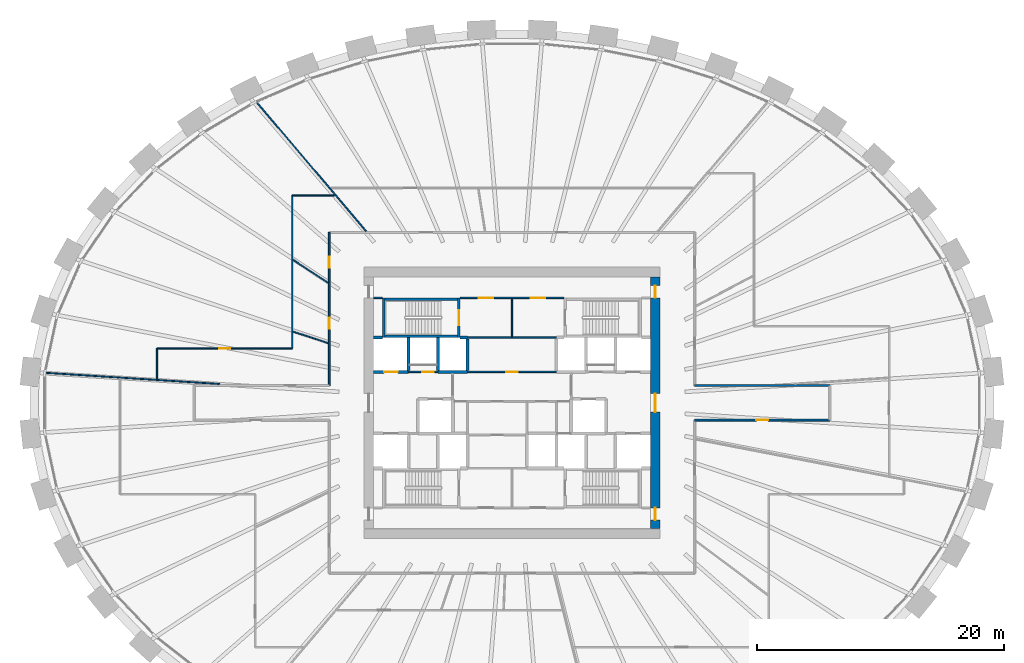
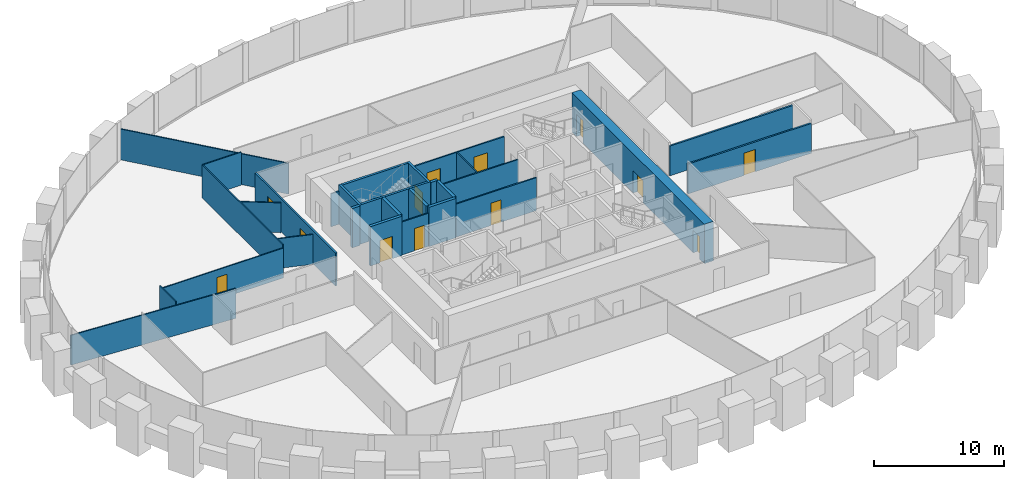
# One storey, part 8 of 11: 29 walls, 13 doors, 13 openings.
"""IFC4 building model written with IfcOpenShell, lengths in metres."""

from ifc_helpers import new_model, si_unit, direction, frame, frame_2d, origin, place, context, subcontext, project, spatial, rectangle, extrude, source, transform, mapped, material, layer, layer_set, type_object, element, fill, save


model = new_model("IFC4")

# Units and contexts
model_context = context("Model", 3, precision=1e-05, world=origin(), true_north=direction((0.0, 1.0)))
body_context = subcontext(model_context, "Body", "Model", "MODEL_VIEW")
ifc_project = project(units=[si_unit("LENGTHUNIT", "METRE"), si_unit("AREAUNIT", "SQUARE_METRE"), si_unit("VOLUMEUNIT", "CUBIC_METRE"), si_unit("PLANEANGLEUNIT", "RADIAN"), si_unit("MASSUNIT", "GRAM", prefix="KILO")], contexts=[model_context])

# Site, building, storey
site_placement = place(None, origin())
site = spatial("IfcSite", under=ifc_project, at=site_placement, CompositionType="ELEMENT")
building_placement = place(site_placement, origin())
building = spatial("IfcBuilding", under=site, at=building_placement, Name="Embergate Tower", CompositionType="ELEMENT")
storey_placement = place(building_placement, frame((0.0, 0.0, 132.0)))
storey = spatial("IfcBuildingStorey", under=building, at=storey_placement, Name="L28", CompositionType="ELEMENT", Elevation=132.0)

# Wall, openings, doors
ifc_material_1 = material(Name="Concrete C70", Category="concrete")
ifc_layer_1 = layer(ifc_material_1, 0.800048828125)
ifc_layer_set_1 = layer_set([ifc_layer_1], Name="Concrete C70")
wall_type_1 = type_object("IfcWallType", Name="Core outer wall C70 800", PredefinedType="SHEAR", material=ifc_layer_set_1)
shared_shape_1 = source(origin(), body_context, "Body", "SweptSolid", [
    extrude(rectangle(XDim=20.39990234375, YDim=0.800048828125, at=frame_2d((10.199951171875, 0.0))), origin(), (0.0, 0.0, 1.0), 3.699951171875),
])
wall_1_placement = place(storey_placement, frame((11.60009765625, -10.199951171875, 0.0), z_axis=(0.0, 0.0, 1.0), x_axis=(0.0, 1.0, 0.0)))
wall_1 = element("IfcWall", 1, at=wall_1_placement, inside=storey, type_object=wall_type_1, Name="CW-L28-E", PredefinedType="SHEAR", context=body_context, shape_type="MappedRepresentation", body=[
    mapped(shared_shape_1, transform((0.0, 0.0, 0.0))),
])
shared_shape_2 = source(origin(), body_context, "Body", "SweptSolid", [
    extrude(rectangle(XDim=1.0, YDim=2.10009765625, at=frame_2d((0.5, 1.050048828125))), frame((0.0, 0.409912109375, 0.0), z_axis=(0.0, -1.0, 0.0), x_axis=(1.0, 0.0, 0.0)), (0.0, 0.0, 1.0), 0.820068359375),
])
opening_1_placement = place(wall_1_placement, frame((18.699951171875, 0.0, 0.0)))
opening_1 = element("IfcOpeningElement", 2, at=opening_1_placement, cuts=wall_1, Name="Opening IF-1d", PredefinedType="OPENING", context=body_context, shape_type="MappedRepresentation", body=[
    mapped(shared_shape_2, transform((0.0, 0.0, 0.0))),
])
opening_2_placement = place(wall_1_placement, frame((0.699951171875, 0.0, 0.0)))
opening_2 = element("IfcOpeningElement", 3, at=opening_2_placement, cuts=wall_1, Name="Opening IF-1d", PredefinedType="OPENING", context=body_context, shape_type="MappedRepresentation", body=[
    mapped(shared_shape_2, transform((0.0, 0.0, 0.0))),
])
shared_shape_3 = source(origin(), body_context, "Body", "SweptSolid", [
    extrude(rectangle(XDim=1.5, YDim=2.10009765625, at=frame_2d((0.75, 1.050048828125))), frame((0.0, 0.409912109375, 0.0), z_axis=(0.0, -1.0, 0.0), x_axis=(1.0, 0.0, 0.0)), (0.0, 0.0, 1.0), 0.820068359375),
])
opening_3_placement = place(wall_1_placement, frame((9.449951171875, 0.0, 0.0)))
opening_3 = element("IfcOpeningElement", 4, at=opening_3_placement, cuts=wall_1, Name="Opening IF-3", PredefinedType="OPENING", context=body_context, shape_type="MappedRepresentation", body=[
    mapped(shared_shape_3, transform((0.0, 0.0, 0.0))),
])
ifc_material_2 = material(Name="Lobby fire door pair 1500")
door_type_1 = type_object("IfcDoorType", Name="Lobby fire door pair 1500", OperationType="DOUBLE_DOOR_SINGLE_SWING", PredefinedType="DOOR", material=ifc_material_2)
shared_shape_4 = source(origin(), body_context, "Body", "SweptSolid", [
    extrude(rectangle(XDim=1.5, YDim=2.10009765625, at=frame_2d((0.75, 1.050048828125))), frame((0.0, 0.02490234375, 0.0), z_axis=(0.0, -1.0, 0.0), x_axis=(1.0, 0.0, 0.0)), (0.0, 0.0, 1.0), 0.050048828125),
])
door_1_placement = place(opening_3_placement, origin())
door_1 = element("IfcDoor", 5, at=door_1_placement, inside=storey, type_object=door_type_1, Name="IF-3 door", OperationType="DOUBLE_DOOR_SINGLE_SWING", OverallHeight=2.10009765625, OverallWidth=1.5, PredefinedType="DOOR", context=body_context, shape_type="MappedRepresentation", body=[
    mapped(shared_shape_4, transform((0.0, 0.0, 0.0))),
])
fill(opening_3, door_1)
ifc_material_3 = material(Name="Escape fire door 1000")
door_type_2 = type_object("IfcDoorType", Name="Escape fire door 1000", OperationType="SINGLE_SWING_LEFT", PredefinedType="DOOR", material=ifc_material_3)
shared_shape_5 = source(origin(), body_context, "Body", "SweptSolid", [
    extrude(rectangle(XDim=1.0, YDim=2.10009765625, at=frame_2d((0.5, 1.050048828125))), frame((0.0, 0.02490234375, 0.0), z_axis=(0.0, -1.0, 0.0), x_axis=(1.0, 0.0, 0.0)), (0.0, 0.0, 1.0), 0.050048828125),
])
door_2_placement = place(opening_1_placement, origin())
door_2 = element("IfcDoor", 6, at=door_2_placement, inside=storey, type_object=door_type_2, Name="IF-1 door", OperationType="SINGLE_SWING_RIGHT", OverallHeight=2.10009765625, OverallWidth=1.0, PredefinedType="DOOR", context=body_context, shape_type="MappedRepresentation", body=[
    mapped(shared_shape_5, transform((0.0, 0.0, 0.0))),
])
fill(opening_1, door_2)
door_3_placement = place(opening_2_placement, origin())
door_3 = element("IfcDoor", 7, at=door_3_placement, inside=storey, type_object=door_type_2, Name="IF-1 door", OperationType="SINGLE_SWING_LEFT", OverallHeight=2.10009765625, OverallWidth=1.0, PredefinedType="DOOR", context=body_context, shape_type="MappedRepresentation", body=[
    mapped(shared_shape_5, transform((0.0, 0.0, 0.0))),
])
fill(opening_2, door_3)

# Walls
ifc_material_4 = material(Name="Concrete C50", Category="concrete")
ifc_layer_2 = layer(ifc_material_4, 0.25)
ifc_layer_set_2 = layer_set([ifc_layer_2], Name="Concrete C50")
wall_type_2 = type_object("IfcWallType", Name="Hoistway wall reinforced concrete 250", PredefinedType="SHEAR", material=ifc_layer_set_2)
shared_shape_6 = source(origin(), body_context, "Body", "SweptSolid", [
    extrude(rectangle(XDim=2.675048828125, YDim=0.25, at=frame_2d((1.33740234375, 0.0))), origin(), (0.0, 0.0, 1.0), 3.699951171875),
])
for number, where, z_axis, x_axis, name in (
    (8, (-8.39990234375, 2.625, 0.0), (0.0, 0.0, 1.0), (0.0, 1.0, 0.0), "HW-1 wall"),
    (9, (-6.0, 2.625, 0.0), (0.0, 0.0, 1.0), (0.0, 1.0, 0.0), "HW-1 wall"),
):
    element("IfcWall", number, at=place(storey_placement, frame(where, z_axis=z_axis, x_axis=x_axis)), inside=storey, type_object=wall_type_2, Name=name, PredefinedType="SHEAR", context=body_context, shape_type="MappedRepresentation", body=[
        mapped(shared_shape_6, transform((0.0, 0.0, 0.0))),
    ])
ifc_layer_3 = layer(ifc_material_4, 0.199951171875)
ifc_layer_set_3 = layer_set([ifc_layer_3], Name="Concrete C50")
wall_type_3 = type_object("IfcWallType", Name="Stair enclosure wall reinforced concrete 250", PredefinedType="SHEAR", material=ifc_layer_set_3)
shared_shape_7 = source(origin(), body_context, "Body", "SweptSolid", [
    extrude(rectangle(XDim=6.300048828125, YDim=0.199951171875, at=frame_2d((3.14990234375, 0.0))), origin(), (0.0, 0.0, 1.0), 3.699951171875),
])
for number, where, z_axis, x_axis, name in (
    (10, (-4.199951171875, 5.39990234375, 0.0), (0.0, 0.0, 1.0), (-1.0, 0.0, 0.0), "SE-1 wall"),
    (11, (-4.199951171875, 8.39990234375, 0.0), (0.0, 0.0, 1.0), (-1.0, 0.0, 0.0), "SE-1 wall"),
):
    element("IfcWall", number, at=place(storey_placement, frame(where, z_axis=z_axis, x_axis=x_axis)), inside=storey, type_object=wall_type_3, Name=name, PredefinedType="SHEAR", context=body_context, shape_type="MappedRepresentation", body=[
        mapped(shared_shape_7, transform((0.0, 0.0, 0.0))),
    ])
shared_shape_8 = source(origin(), body_context, "Body", "SweptSolid", [
    extrude(rectangle(XDim=2.550048828125, YDim=0.25, at=frame_2d((1.27490234375, 0.0))), origin(), (0.0, 0.0, 1.0), 3.699951171875),
])
wall_2_placement = place(storey_placement, frame((-3.60009765625, 2.625, 0.0), z_axis=(0.0, 0.0, 1.0), x_axis=(0.0, 1.0, 0.0)))
element("IfcWall", 12, at=wall_2_placement, inside=storey, type_object=wall_type_2, Name="HW-1 wall", PredefinedType="SHEAR", context=body_context, shape_type="MappedRepresentation", body=[
    mapped(shared_shape_8, transform((0.0, 0.0, 0.0))),
])

# Wall, opening, door
shared_shape_9 = source(origin(), body_context, "Body", "SweptSolid", [
    extrude(rectangle(XDim=3.199951171875, YDim=0.199951171875, at=frame_2d((1.60009765625, 0.0))), origin(), (0.0, 0.0, 1.0), 3.699951171875),
])
wall_3_placement = place(storey_placement, frame((-4.300048828125, 5.300048828125, 0.0), z_axis=(0.0, 0.0, 1.0), x_axis=(0.0, 1.0, 0.0)))
wall_3 = element("IfcWall", 13, at=wall_3_placement, inside=storey, type_object=wall_type_3, Name="SE-1 wall", PredefinedType="SHEAR", context=body_context, shape_type="MappedRepresentation", body=[
    mapped(shared_shape_9, transform((0.0, 0.0, 0.0))),
])
shared_shape_10 = source(origin(), body_context, "Body", "SweptSolid", [
    extrude(rectangle(XDim=1.199951171875, YDim=2.10009765625, at=frame_2d((0.60009765625, 1.050048828125))), frame((0.0, 0.10986328125, 0.0), z_axis=(0.0, -1.0, 0.0), x_axis=(1.0, 0.0, 0.0)), (0.0, 0.0, 1.0), 0.219970703125),
])
opening_4_placement = place(wall_3_placement, frame((1.0, 0.0, 0.0)))
opening_4 = element("IfcOpeningElement", 14, at=opening_4_placement, cuts=wall_3, Name="Opening IF-2", PredefinedType="OPENING", context=body_context, shape_type="MappedRepresentation", body=[
    mapped(shared_shape_10, transform((0.0, 0.0, 0.0))),
])
ifc_material_5 = material(Name="Stair enclosure door 1200")
door_type_3 = type_object("IfcDoorType", Name="Stair enclosure door 1200", OperationType="SINGLE_SWING_LEFT", PredefinedType="DOOR", material=ifc_material_5)
shared_shape_11 = source(origin(), body_context, "Body", "SweptSolid", [
    extrude(rectangle(XDim=1.199951171875, YDim=2.10009765625, at=frame_2d((0.60009765625, 1.050048828125))), frame((0.0, 0.02490234375, 0.0), z_axis=(0.0, -1.0, 0.0), x_axis=(1.0, 0.0, 0.0)), (0.0, 0.0, 1.0), 0.050048828125),
])
door_4_placement = place(opening_4_placement, origin())
door_4 = element("IfcDoor", 15, at=door_4_placement, inside=storey, type_object=door_type_3, Name="IF-2 door", OperationType="SINGLE_SWING_RIGHT", OverallHeight=2.10009765625, OverallWidth=1.199951171875, PredefinedType="DOOR", context=body_context, shape_type="MappedRepresentation", body=[
    mapped(shared_shape_11, transform((0.0, 0.0, 0.0))),
])
fill(opening_4, door_4)

# Wall
shared_shape_12 = source(origin(), body_context, "Body", "SweptSolid", [
    extrude(rectangle(XDim=2.39990234375, YDim=0.25, at=frame_2d((1.199951171875, 0.0))), origin(), (0.0, 0.0, 1.0), 3.699951171875),
])
wall_4_placement = place(storey_placement, frame((-6.0, 2.5, 0.0), z_axis=(0.0, 0.0, 1.0), x_axis=(1.0, 0.0, 0.0)))
element("IfcWall", 16, at=wall_4_placement, inside=storey, type_object=wall_type_2, Name="HW-1 wall", PredefinedType="SHEAR", context=body_context, shape_type="MappedRepresentation", body=[
    mapped(shared_shape_12, transform((0.0, 0.0, 0.0))),
])

# Wall, openings, doors
ifc_material_6 = material(Name="Core partition blockwork 120")
ifc_layer_4 = layer(ifc_material_6, 0.1201171875)
ifc_layer_set_4 = layer_set([ifc_layer_4], Name="Core partition blockwork 120")
wall_type_4 = type_object("IfcWallType", Name="Core partition blockwork 120", PredefinedType="PARTITIONING", material=ifc_layer_set_4)
shared_shape_13 = source(origin(), body_context, "Body", "SweptSolid", [
    extrude(rectangle(XDim=8.39990234375, YDim=0.1201171875, at=frame_2d((4.199951171875, 0.0))), origin(), (0.0, 0.0, 1.0), 3.10009765625),
])
wall_5_placement = place(storey_placement, frame((4.199951171875, 8.5, 0.0), z_axis=(0.0, 0.0, 1.0), x_axis=(-1.0, 0.0, 0.0)))
wall_5 = element("IfcWall", 17, at=wall_5_placement, inside=storey, type_object=wall_type_4, Name="IP-3 wall", PredefinedType="PARTITIONING", context=body_context, shape_type="MappedRepresentation", body=[
    mapped(shared_shape_13, transform((0.0, 0.0, 0.0))),
])
shared_shape_14 = source(origin(), body_context, "Body", "SweptSolid", [
    extrude(rectangle(XDim=1.199951171875, YDim=2.10009765625, at=frame_2d((0.60009765625, 1.050048828125))), frame((0.0, 0.070068359375, 0.0), z_axis=(0.0, -1.0, 0.0), x_axis=(1.0, 0.0, 0.0)), (0.0, 0.0, 1.0), 0.14013671875),
])
opening_5_placement = place(wall_5_placement, frame((5.699951171875, 0.0, 0.0)))
opening_5 = element("IfcOpeningElement", 18, at=opening_5_placement, cuts=wall_5, Name="Opening IF-3f", PredefinedType="OPENING", context=body_context, shape_type="MappedRepresentation", body=[
    mapped(shared_shape_14, transform((0.0, 0.0, 0.0))),
])
opening_6_placement = place(wall_5_placement, frame((1.5, 0.0, 0.0)))
opening_6 = element("IfcOpeningElement", 19, at=opening_6_placement, cuts=wall_5, Name="Opening IF-3f", PredefinedType="OPENING", context=body_context, shape_type="MappedRepresentation", body=[
    mapped(shared_shape_14, transform((0.0, 0.0, 0.0))),
])
ifc_material_7 = material(Name="Lobby fire door pair 1200")
door_type_4 = type_object("IfcDoorType", Name="Lobby fire door pair 1200", OperationType="DOUBLE_DOOR_SINGLE_SWING", PredefinedType="DOOR", material=ifc_material_7)
door_5_placement = place(opening_5_placement, origin())
door_5 = element("IfcDoor", 20, at=door_5_placement, inside=storey, type_object=door_type_4, Name="IF-3 door", OperationType="DOUBLE_DOOR_SINGLE_SWING", OverallHeight=2.10009765625, OverallWidth=1.199951171875, PredefinedType="DOOR", context=body_context, shape_type="MappedRepresentation", body=[
    mapped(shared_shape_11, transform((0.0, 0.0, 0.0))),
])
fill(opening_5, door_5)
door_6_placement = place(opening_6_placement, origin())
door_6 = element("IfcDoor", 21, at=door_6_placement, inside=storey, type_object=door_type_4, Name="IF-3 door", OperationType="DOUBLE_DOOR_SINGLE_SWING", OverallHeight=2.10009765625, OverallWidth=1.199951171875, PredefinedType="DOOR", context=body_context, shape_type="MappedRepresentation", body=[
    mapped(shared_shape_11, transform((0.0, 0.0, 0.0))),
])
fill(opening_6, door_6)

ifc_material_8 = material(Name="Corridor wall dry-lined 150 wet")
ifc_layer_5 = layer(ifc_material_8, 0.14990234375)
ifc_layer_set_5 = layer_set([ifc_layer_5], Name="Corridor wall dry-lined 150 wet")
wall_type_5 = type_object("IfcWallType", Name="Corridor wall dry-lined 150 wet", PredefinedType="PLUMBINGWALL", material=ifc_layer_set_5)
shared_shape_15 = source(origin(), body_context, "Body", "SweptSolid", [
    extrude(rectangle(XDim=12.400146484375, YDim=0.14990234375, at=frame_2d((6.2001953125, 0.0))), origin(), (0.0, 0.0, 1.0), 3.10009765625),
])
wall_6_placement = place(storey_placement, frame((-14.800048828125, 1.39990234375, 0.0), z_axis=(0.0, 0.0, 1.0), x_axis=(0.0, 1.0, 0.0)))
wall_6 = element("IfcWall", 22, at=wall_6_placement, inside=storey, type_object=wall_type_5, Name="IP-2 wall", PredefinedType="PLUMBINGWALL", context=body_context, shape_type="MappedRepresentation", body=[
    mapped(shared_shape_15, transform((0.0, 0.0, 0.0))),
])
shared_shape_16 = source(origin(), body_context, "Body", "SweptSolid", [
    extrude(rectangle(XDim=0.89990234375, YDim=2.10009765625, at=frame_2d((0.449951171875, 1.050048828125))), frame((0.0, 0.0849609375, 0.0), z_axis=(0.0, -1.0, 0.0), x_axis=(1.0, 0.0, 0.0)), (0.0, 0.0, 1.0), 0.169921875),
])
opening_7_placement = place(wall_6_placement, frame((9.5380859375, 0.0, 0.0)))
opening_7 = element("IfcOpeningElement", 23, at=opening_7_placement, cuts=wall_6, Name="Opening IF-1c", PredefinedType="OPENING", context=body_context, shape_type="MappedRepresentation", body=[
    mapped(shared_shape_16, transform((0.0, 0.0, 0.0))),
])
opening_8_placement = place(wall_6_placement, frame((4.580078125, 0.0, 0.0)))
opening_8 = element("IfcOpeningElement", 24, at=opening_8_placement, cuts=wall_6, Name="Opening IF-1c", PredefinedType="OPENING", context=body_context, shape_type="MappedRepresentation", body=[
    mapped(shared_shape_16, transform((0.0, 0.0, 0.0))),
])
ifc_material_9 = material(Name="Escape fire door 900")
door_type_5 = type_object("IfcDoorType", Name="Escape fire door 900", OperationType="SINGLE_SWING_LEFT", PredefinedType="DOOR", material=ifc_material_9)
shared_shape_17 = source(origin(), body_context, "Body", "SweptSolid", [
    extrude(rectangle(XDim=0.89990234375, YDim=2.10009765625, at=frame_2d((0.449951171875, 1.050048828125))), frame((0.0, 0.02490234375, 0.0), z_axis=(0.0, -1.0, 0.0), x_axis=(1.0, 0.0, 0.0)), (0.0, 0.0, 1.0), 0.050048828125),
])
door_7_placement = place(opening_7_placement, origin())
door_7 = element("IfcDoor", 25, at=door_7_placement, inside=storey, type_object=door_type_5, Name="IF-1 door", OperationType="SINGLE_SWING_RIGHT", OverallHeight=2.10009765625, OverallWidth=0.89990234375, PredefinedType="DOOR", context=body_context, shape_type="MappedRepresentation", body=[
    mapped(shared_shape_17, transform((0.0, 0.0, 0.0))),
])
fill(opening_7, door_7)
door_8_placement = place(opening_8_placement, origin())
door_8 = element("IfcDoor", 26, at=door_8_placement, inside=storey, type_object=door_type_5, Name="IF-1 door", OperationType="SINGLE_SWING_RIGHT", OverallHeight=2.10009765625, OverallWidth=0.89990234375, PredefinedType="DOOR", context=body_context, shape_type="MappedRepresentation", body=[
    mapped(shared_shape_17, transform((0.0, 0.0, 0.0))),
])
fill(opening_8, door_8)

# Wall, opening, door
ifc_material_10 = material(Name="Corridor wall dry-lined 150")
ifc_layer_6 = layer(ifc_material_10, 0.14990234375)
ifc_layer_set_6 = layer_set([ifc_layer_6], Name="Corridor wall dry-lined 150")
wall_type_6 = type_object("IfcWallType", Name="Corridor wall dry-lined 150", PredefinedType="PARTITIONING", material=ifc_layer_set_6)
shared_shape_18 = source(origin(), body_context, "Body", "SweptSolid", [
    extrude(rectangle(XDim=10.949951171875, YDim=0.14990234375, at=frame_2d((5.47509765625, 0.0))), origin(), (0.0, 0.0, 1.0), 2.800048828125),
])
wall_7_placement = place(storey_placement, frame((14.800048828125, -1.39990234375, 0.0), z_axis=(0.0, 0.0, 1.0), x_axis=(1.0, 0.0, 0.0)))
wall_7 = element("IfcWall", 27, at=wall_7_placement, inside=storey, type_object=wall_type_6, Name="IP-2 wall", PredefinedType="PARTITIONING", context=body_context, shape_type="MappedRepresentation", body=[
    mapped(shared_shape_18, transform((0.0, 0.0, 0.0))),
])
shared_shape_19 = source(origin(), body_context, "Body", "SweptSolid", [
    extrude(rectangle(XDim=1.0, YDim=2.10009765625, at=frame_2d((0.5, 1.050048828125))), frame((0.0, 0.0849609375, 0.0), z_axis=(0.0, -1.0, 0.0), x_axis=(1.0, 0.0, 0.0)), (0.0, 0.0, 1.0), 0.169921875),
])
opening_9_placement = place(wall_7_placement, frame((4.97509765625, 0.0, 0.0)))
opening_9 = element("IfcOpeningElement", 28, at=opening_9_placement, cuts=wall_7, Name="Opening ID-2", PredefinedType="OPENING", context=body_context, shape_type="MappedRepresentation", body=[
    mapped(shared_shape_19, transform((0.0, 0.0, 0.0))),
])
ifc_material_11 = material(Name="Interior door 1000")
door_type_6 = type_object("IfcDoorType", Name="Interior door 1000", OperationType="SINGLE_SWING_LEFT", PredefinedType="DOOR", material=ifc_material_11)
door_9_placement = place(opening_9_placement, origin())
door_9 = element("IfcDoor", 29, at=door_9_placement, inside=storey, type_object=door_type_6, Name="ID-2 door", OperationType="SINGLE_SWING_LEFT", OverallHeight=2.10009765625, OverallWidth=1.0, PredefinedType="DOOR", context=body_context, shape_type="MappedRepresentation", body=[
    mapped(shared_shape_5, transform((0.0, 0.0, 0.0))),
])
fill(opening_9, door_9)

# Walls
wall_8_placement = place(storey_placement, frame((25.75, 1.39990234375, 0.0), z_axis=(0.0, 0.0, 1.0), x_axis=(-1.0, 0.0, 0.0)))
element("IfcWall", 30, at=wall_8_placement, inside=storey, type_object=wall_type_6, Name="IP-2 wall", PredefinedType="PARTITIONING", context=body_context, shape_type="MappedRepresentation", body=[
    mapped(shared_shape_18, transform((0.0, 0.0, 0.0))),
])
ifc_material_12 = material(Name="Partition dry-lined 100")
ifc_layer_7 = layer(ifc_material_12, 0.10009765625)
ifc_layer_set_7 = layer_set([ifc_layer_7], Name="Partition dry-lined 100")
wall_type_7 = type_object("IfcWallType", Name="Partition dry-lined 100", PredefinedType="PARTITIONING", material=ifc_layer_set_7)
shared_shape_20 = source(origin(), body_context, "Body", "SweptSolid", [
    extrude(rectangle(XDim=13.751953125, YDim=0.10009765625, at=frame_2d((6.8759765625, 0.0))), origin(), (0.0, 0.0, 1.0), 2.89990234375),
])
wall_9_placement = place(storey_placement, frame((-11.81396484375, 13.906982421875, 0.0), z_axis=(0.0, 0.0, 1.0), x_axis=(-0.647406181073, 0.762145154618, 0.0)))
element("IfcWall", 31, at=wall_9_placement, inside=storey, type_object=wall_type_7, Name="IP-1 wall", PredefinedType="PARTITIONING", context=body_context, shape_type="MappedRepresentation", body=[
    mapped(shared_shape_20, transform((0.0, 0.0, 0.0))),
])
ifc_material_13 = material(Name="Partition dry-lined 100 wet")
ifc_layer_8 = layer(ifc_material_13, 0.10009765625)
ifc_layer_set_8 = layer_set([ifc_layer_8], Name="Partition dry-lined 100 wet")
wall_type_8 = type_object("IfcWallType", Name="Partition dry-lined 100 wet", PredefinedType="PLUMBINGWALL", material=ifc_layer_set_8)
shared_shape_21 = source(origin(), body_context, "Body", "SweptSolid", [
    extrude(rectangle(XDim=12.400146484375, YDim=0.10009765625, at=frame_2d((6.2001953125, 0.0))), origin(), (0.0, 0.0, 1.0), 3.10009765625),
])
wall_10_placement = place(storey_placement, frame((-17.800048828125, 4.39990234375, 0.0), z_axis=(0.0, 0.0, 1.0), x_axis=(0.0, 1.0, 0.0)))
element("IfcWall", 32, at=wall_10_placement, inside=storey, type_object=wall_type_8, Name="IP-1 wall", PredefinedType="PLUMBINGWALL", context=body_context, shape_type="MappedRepresentation", body=[
    mapped(shared_shape_21, transform((0.0, 0.0, 0.0))),
])
shared_shape_22 = source(origin(), body_context, "Body", "SweptSolid", [
    extrude(rectangle(XDim=3.368408203125, YDim=0.10009765625, at=frame_2d((1.68408203125, 0.0))), origin(), (0.0, 0.0, 1.0), 2.800048828125),
])
wall_11_placement = place(storey_placement, frame((-14.902099609375, 9.72802734375, 0.0), z_axis=(0.0, 0.0, 1.0), x_axis=(-0.837418774688, 0.546561795043, 0.0)))
element("IfcWall", 33, at=wall_11_placement, inside=storey, type_object=wall_type_8, Name="IP-1 wall", PredefinedType="PLUMBINGWALL", context=body_context, shape_type="MappedRepresentation", body=[
    mapped(shared_shape_22, transform((0.0, 0.0, 0.0))),
])
shared_shape_23 = source(origin(), body_context, "Body", "SweptSolid", [
    extrude(rectangle(XDim=3.421142578125, YDim=0.10009765625, at=frame_2d((1.71044921875, 0.0))), origin(), (0.0, 0.0, 1.0), 3.10009765625),
])
wall_12_placement = place(storey_placement, frame((-17.800048828125, 16.800048828125, 0.0), z_axis=(0.0, 0.0, 1.0), x_axis=(1.0, 0.0, 0.0)))
element("IfcWall", 34, at=wall_12_placement, inside=storey, type_object=wall_type_8, Name="IP-1 wall", PredefinedType="PLUMBINGWALL", context=body_context, shape_type="MappedRepresentation", body=[
    mapped(shared_shape_23, transform((0.0, 0.0, 0.0))),
])
shared_shape_24 = source(origin(), body_context, "Body", "SweptSolid", [
    extrude(rectangle(XDim=2.991455078125, YDim=0.10009765625, at=frame_2d((1.49560546875, 0.0))), origin(), (0.0, 0.0, 1.0), 2.800048828125),
])
wall_13_placement = place(storey_placement, frame((-14.889892578125, 4.8369140625, 0.0), z_axis=(0.0, 0.0, 1.0), x_axis=(-0.951095223794, 0.308897839545, 0.0)))
element("IfcWall", 35, at=wall_13_placement, inside=storey, type_object=wall_type_8, Name="IP-1 wall", PredefinedType="PLUMBINGWALL", context=body_context, shape_type="MappedRepresentation", body=[
    mapped(shared_shape_24, transform((0.0, 0.0, 0.0))),
])
shared_shape_25 = source(origin(), body_context, "Body", "SweptSolid", [
    extrude(rectangle(XDim=14.16845703125, YDim=0.10009765625, at=frame_2d((7.084228515625, 0.0))), origin(), (0.0, 0.0, 1.0), 2.800048828125),
])
wall_14_placement = place(storey_placement, frame((-23.69189453125, 1.52490234375, 0.0), z_axis=(0.0, 0.0, 1.0), x_axis=(-0.99793458386, 0.064238355642, 0.0)))
element("IfcWall", 36, at=wall_14_placement, inside=storey, type_object=wall_type_8, Name="IP-1 wall", PredefinedType="PLUMBINGWALL", context=body_context, shape_type="MappedRepresentation", body=[
    mapped(shared_shape_25, transform((0.0, 0.0, 0.0))),
])
shared_shape_26 = source(origin(), body_context, "Body", "SweptSolid", [
    extrude(rectangle(XDim=2.5, YDim=0.10009765625, at=frame_2d((1.25, 0.0))), origin(), (0.0, 0.0, 1.0), 3.10009765625),
])
wall_15_placement = place(storey_placement, frame((-28.75, 1.89990234375, 0.0), z_axis=(0.0, 0.0, 1.0), x_axis=(0.0, 1.0, 0.0)))
element("IfcWall", 37, at=wall_15_placement, inside=storey, type_object=wall_type_8, Name="IP-1 wall", PredefinedType="PLUMBINGWALL", context=body_context, shape_type="MappedRepresentation", body=[
    mapped(shared_shape_26, transform((0.0, 0.0, 0.0))),
])

# Wall, opening, door
shared_shape_27 = source(origin(), body_context, "Body", "SweptSolid", [
    extrude(rectangle(XDim=10.949951171875, YDim=0.10009765625, at=frame_2d((5.47509765625, 0.0))), origin(), (0.0, 0.0, 1.0), 2.800048828125),
])
wall_16_placement = place(storey_placement, frame((-28.75, 4.39990234375, 0.0), z_axis=(0.0, 0.0, 1.0), x_axis=(1.0, 0.0, 0.0)))
wall_16 = element("IfcWall", 38, at=wall_16_placement, inside=storey, type_object=wall_type_8, Name="IP-1 wall", PredefinedType="PLUMBINGWALL", context=body_context, shape_type="MappedRepresentation", body=[
    mapped(shared_shape_27, transform((0.0, 0.0, 0.0))),
])
shared_shape_28 = source(origin(), body_context, "Body", "SweptSolid", [
    extrude(rectangle(XDim=0.89990234375, YDim=2.10009765625, at=frame_2d((0.449951171875, 1.050048828125))), frame((0.0, 0.06005859375, 0.0), z_axis=(0.0, -1.0, 0.0), x_axis=(1.0, 0.0, 0.0)), (0.0, 0.0, 1.0), 0.1201171875),
])
opening_10_placement = place(wall_16_placement, frame((5.02490234375, 0.0, 0.0)))
opening_10 = element("IfcOpeningElement", 39, at=opening_10_placement, cuts=wall_16, Name="Opening ID-1", PredefinedType="OPENING", context=body_context, shape_type="MappedRepresentation", body=[
    mapped(shared_shape_28, transform((0.0, 0.0, 0.0))),
])
ifc_material_14 = material(Name="Interior door 900")
door_type_7 = type_object("IfcDoorType", Name="Interior door 900", OperationType="SINGLE_SWING_LEFT", PredefinedType="DOOR", material=ifc_material_14)
door_10_placement = place(opening_10_placement, origin())
door_10 = element("IfcDoor", 40, at=door_10_placement, inside=storey, type_object=door_type_7, Name="ID-1 door", OperationType="SINGLE_SWING_RIGHT", OverallHeight=2.10009765625, OverallWidth=0.89990234375, PredefinedType="DOOR", context=body_context, shape_type="MappedRepresentation", body=[
    mapped(shared_shape_17, transform((0.0, 0.0, 0.0))),
])
fill(opening_10, door_10)

shared_shape_29 = source(origin(), body_context, "Body", "SweptSolid", [
    extrude(rectangle(XDim=2.800048828125, YDim=0.25, at=frame_2d((1.39990234375, 0.0))), origin(), (0.0, 0.0, 1.0), 3.699951171875),
])
wall_17_placement = place(storey_placement, frame((-11.199951171875, 2.5, 0.0), z_axis=(0.0, 0.0, 1.0), x_axis=(1.0, 0.0, 0.0)))
wall_17 = element("IfcWall", 41, at=wall_17_placement, inside=storey, type_object=wall_type_2, Name="HW-1 wall", PredefinedType="SHEAR", context=body_context, shape_type="MappedRepresentation", body=[
    mapped(shared_shape_29, transform((0.0, 0.0, 0.0))),
])
shared_shape_30 = source(origin(), body_context, "Body", "SweptSolid", [
    extrude(rectangle(XDim=1.10009765625, YDim=2.10009765625, at=frame_2d((0.550048828125, 1.050048828125))), frame((0.0, 0.135009765625, 0.0), z_axis=(0.0, -1.0, 0.0), x_axis=(1.0, 0.0, 0.0)), (0.0, 0.0, 1.0), 0.27001953125),
])
opening_11_placement = place(wall_17_placement, frame((0.85009765625, 0.0, 0.0)))
opening_11 = element("IfcOpeningElement", 42, at=opening_11_placement, cuts=wall_17, Name="Opening LD", PredefinedType="OPENING", context=body_context, shape_type="MappedRepresentation", body=[
    mapped(shared_shape_30, transform((0.0, 0.0, 0.0))),
])
ifc_material_15 = material(Name="Landing door sliding 1100")
door_type_8 = type_object("IfcDoorType", Name="Landing door sliding 1100", OperationType="SLIDING_TO_LEFT", PredefinedType="DOOR", material=ifc_material_15)
shared_shape_31 = source(origin(), body_context, "Body", "SweptSolid", [
    extrude(rectangle(XDim=1.10009765625, YDim=2.10009765625, at=frame_2d((0.550048828125, 1.050048828125))), frame((0.0, 0.02490234375, 0.0), z_axis=(0.0, -1.0, 0.0), x_axis=(1.0, 0.0, 0.0)), (0.0, 0.0, 1.0), 0.050048828125),
])
door_11_placement = place(opening_11_placement, origin())
door_11 = element("IfcDoor", 43, at=door_11_placement, inside=storey, type_object=door_type_8, Name="LD door", OperationType="SLIDING_TO_LEFT", OverallHeight=2.10009765625, OverallWidth=1.10009765625, PredefinedType="DOOR", context=body_context, shape_type="MappedRepresentation", body=[
    mapped(shared_shape_31, transform((0.0, 0.0, 0.0))),
])
fill(opening_11, door_11)

shared_shape_32 = source(origin(), body_context, "Body", "SweptSolid", [
    extrude(rectangle(XDim=2.39990234375, YDim=0.1201171875, at=frame_2d((1.199951171875, 0.0))), origin(), (0.0, 0.0, 1.0), 3.10009765625),
])
wall_18_placement = place(storey_placement, frame((-8.39990234375, 2.5, 0.0), z_axis=(0.0, 0.0, 1.0), x_axis=(1.0, 0.0, 0.0)))
wall_18 = element("IfcWall", 44, at=wall_18_placement, inside=storey, type_object=wall_type_4, Name="IP-3 wall", PredefinedType="PARTITIONING", context=body_context, shape_type="MappedRepresentation", body=[
    mapped(shared_shape_32, transform((0.0, 0.0, 0.0))),
])
shared_shape_33 = source(origin(), body_context, "Body", "SweptSolid", [
    extrude(rectangle(XDim=0.89990234375, YDim=2.10009765625, at=frame_2d((0.449951171875, 1.050048828125))), frame((0.0, 0.070068359375, 0.0), z_axis=(0.0, -1.0, 0.0), x_axis=(1.0, 0.0, 0.0)), (0.0, 0.0, 1.0), 0.14013671875),
])
opening_12_placement = place(wall_18_placement, frame((1.14990234375, 0.0, 0.0)))
opening_12 = element("IfcOpeningElement", 45, at=opening_12_placement, cuts=wall_18, Name="Opening ID-1", PredefinedType="OPENING", context=body_context, shape_type="MappedRepresentation", body=[
    mapped(shared_shape_33, transform((0.0, 0.0, 0.0))),
])
door_12_placement = place(opening_12_placement, origin())
door_12 = element("IfcDoor", 46, at=door_12_placement, inside=storey, type_object=door_type_7, Name="ID-1 door", OperationType="SINGLE_SWING_LEFT", OverallHeight=2.10009765625, OverallWidth=0.89990234375, PredefinedType="DOOR", context=body_context, shape_type="MappedRepresentation", body=[
    mapped(shared_shape_17, transform((0.0, 0.0, 0.0))),
])
fill(opening_12, door_12)

# Wall
shared_shape_34 = source(origin(), body_context, "Body", "SweptSolid", [
    extrude(rectangle(XDim=0.599853515625, YDim=0.25, at=frame_2d((0.2998046875, 0.0))), origin(), (0.0, 0.0, 1.0), 3.699951171875),
])
wall_19_placement = place(storey_placement, frame((-3.60009765625, 5.300048828125, 0.0), z_axis=(0.0, 0.0, 1.0), x_axis=(-1.0, 0.0, 0.0)))
element("IfcWall", 47, at=wall_19_placement, inside=storey, type_object=wall_type_2, Name="HW-1 wall", PredefinedType="SHEAR", context=body_context, shape_type="MappedRepresentation", body=[
    mapped(shared_shape_34, transform((0.0, 0.0, 0.0))),
])

# Wall, opening, door
shared_shape_35 = source(origin(), body_context, "Body", "SweptSolid", [
    extrude(rectangle(XDim=7.2001953125, YDim=0.1201171875, at=frame_2d((3.60009765625, 0.0))), origin(), (0.0, 0.0, 1.0), 3.10009765625),
])
wall_20_placement = place(storey_placement, frame((3.60009765625, 2.5, 0.0), z_axis=(0.0, 0.0, 1.0), x_axis=(-1.0, 0.0, 0.0)))
wall_20 = element("IfcWall", 48, at=wall_20_placement, inside=storey, type_object=wall_type_4, Name="IP-3 wall", PredefinedType="PARTITIONING", context=body_context, shape_type="MappedRepresentation", body=[
    mapped(shared_shape_35, transform((0.0, 0.0, 0.0))),
])
opening_13_placement = place(wall_20_placement, frame((3.14990234375, 0.0, 0.0)))
opening_13 = element("IfcOpeningElement", 49, at=opening_13_placement, cuts=wall_20, Name="Opening ID-1", PredefinedType="OPENING", context=body_context, shape_type="MappedRepresentation", body=[
    mapped(shared_shape_33, transform((0.0, 0.0, 0.0))),
])
door_13_placement = place(opening_13_placement, origin())
door_13 = element("IfcDoor", 50, at=door_13_placement, inside=storey, type_object=door_type_7, Name="ID-1 door", OperationType="SINGLE_SWING_RIGHT", OverallHeight=2.10009765625, OverallWidth=0.89990234375, PredefinedType="DOOR", context=body_context, shape_type="MappedRepresentation", body=[
    mapped(shared_shape_17, transform((0.0, 0.0, 0.0))),
])
fill(opening_13, door_13)

# Walls
wall_21_placement = place(storey_placement, frame((-3.60009765625, 5.300048828125, 0.0), z_axis=(0.0, 0.0, 1.0), x_axis=(1.0, 0.0, 0.0)))
element("IfcWall", 51, at=wall_21_placement, inside=storey, type_object=wall_type_4, Name="IP-3 wall", PredefinedType="PARTITIONING", context=body_context, shape_type="MappedRepresentation", body=[
    mapped(shared_shape_35, transform((0.0, 0.0, 0.0))),
])
shared_shape_36 = source(origin(), body_context, "Body", "SweptSolid", [
    extrude(rectangle(XDim=3.079833984375, YDim=0.1201171875, at=frame_2d((1.5400390625, 0.0))), origin(), (0.0, 0.0, 1.0), 3.10009765625),
])
wall_22_placement = place(storey_placement, frame((0.0, 5.360107421875, 0.0), z_axis=(0.0, 0.0, 1.0), x_axis=(0.0, 1.0, 0.0)))
element("IfcWall", 52, at=wall_22_placement, inside=storey, type_object=wall_type_4, Name="IP-3 wall", PredefinedType="PARTITIONING", context=body_context, shape_type="MappedRepresentation", body=[
    mapped(shared_shape_36, transform((0.0, 0.0, 0.0))),
])
shared_shape_37 = source(origin(), body_context, "Body", "SweptSolid", [
    extrude(rectangle(XDim=3.196044921875, YDim=0.199951171875, at=frame_2d((1.59814453125, 0.0))), origin(), (0.0, 0.0, 1.0), 3.699951171875),
])
wall_23_placement = place(storey_placement, frame((-10.39990234375, 8.498046875, 0.0), z_axis=(0.0, 0.0, 1.0), x_axis=(0.0, -1.0, 0.0)))
element("IfcWall", 53, at=wall_23_placement, inside=storey, type_object=wall_type_3, Name="SE-1 wall", PredefinedType="SHEAR", context=body_context, shape_type="MappedRepresentation", body=[
    mapped(shared_shape_37, transform((0.0, 0.0, 0.0))),
])
shared_shape_38 = source(origin(), body_context, "Body", "SweptSolid", [
    extrude(rectangle(XDim=0.697998046875, YDim=0.25, at=frame_2d((0.34912109375, 0.0))), origin(), (0.0, 0.0, 1.0), 3.699951171875),
])
wall_24_placement = place(storey_placement, frame((-10.501953125, 5.300048828125, 0.0), z_axis=(0.0, 0.0, 1.0), x_axis=(-1.0, 0.0, 0.0)))
element("IfcWall", 54, at=wall_24_placement, inside=storey, type_object=wall_type_2, Name="HW-1 wall", PredefinedType="SHEAR", context=body_context, shape_type="MappedRepresentation", body=[
    mapped(shared_shape_38, transform((0.0, 0.0, 0.0))),
])
shared_shape_39 = source(origin(), body_context, "Body", "SweptSolid", [
    extrude(rectangle(XDim=0.697998046875, YDim=0.1201171875, at=frame_2d((0.34912109375, 0.0))), origin(), (0.0, 0.0, 1.0), 3.10009765625),
])
wall_25_placement = place(storey_placement, frame((-11.199951171875, 8.5, 0.0), z_axis=(0.0, 0.0, 1.0), x_axis=(1.0, 0.0, 0.0)))
element("IfcWall", 55, at=wall_25_placement, inside=storey, type_object=wall_type_4, Name="IP-3 wall", PredefinedType="PARTITIONING", context=body_context, shape_type="MappedRepresentation", body=[
    mapped(shared_shape_39, transform((0.0, 0.0, 0.0))),
])

save(model, "model.ifc")
